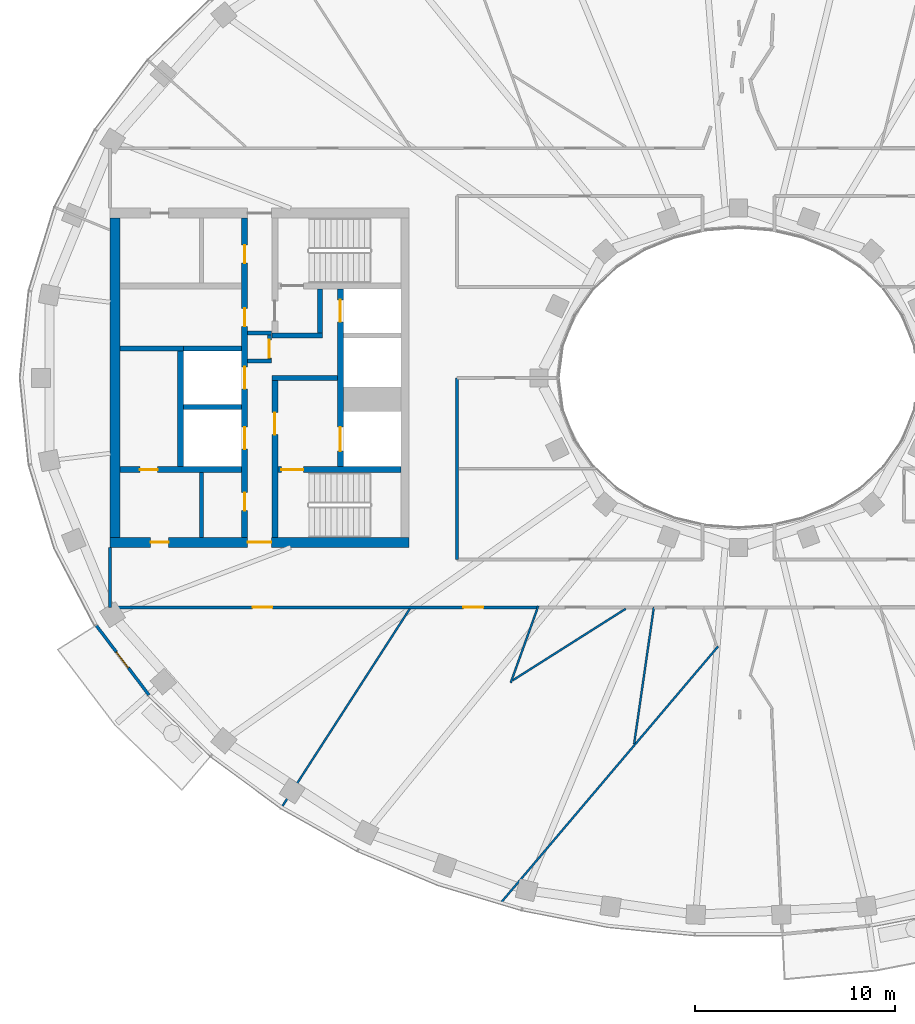
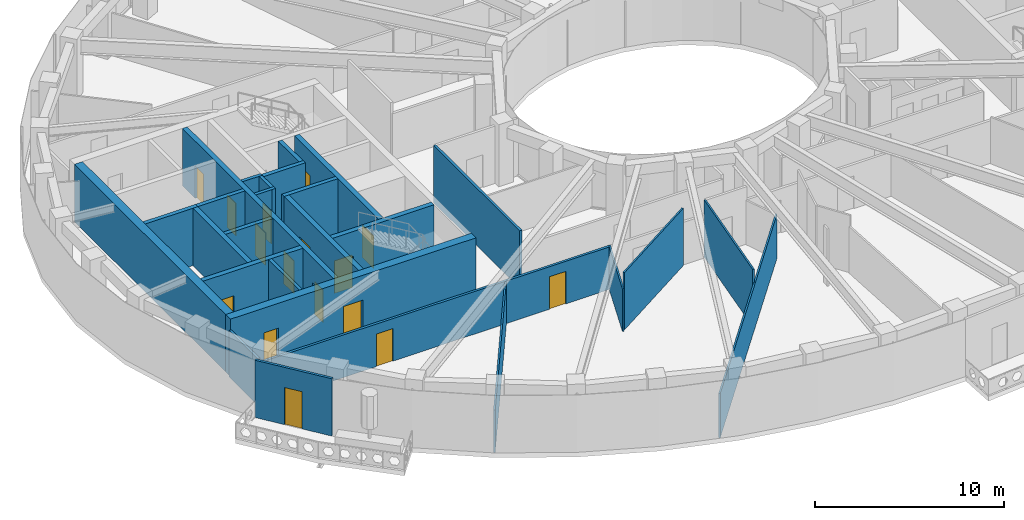
# One storey, part 3 of 16: 27 walls, 16 doors, 16 openings.
"""IFC4 building model written with IfcOpenShell, lengths in metres."""

from ifc_helpers import new_model, si_unit, direction, frame, frame_2d, origin, place, context, subcontext, project, spatial, rectangle, extrude, material, layer, layer_set, type_object, element, fill, save


model = new_model("IFC4")

# Units and contexts
model_context = context("Model", 3, precision=1e-05, world=origin(), true_north=direction((0.0, 1.0)))
body_context = subcontext(model_context, "Body", "Model", "MODEL_VIEW")
ifc_project = project(units=[si_unit("LENGTHUNIT", "METRE"), si_unit("AREAUNIT", "SQUARE_METRE"), si_unit("VOLUMEUNIT", "CUBIC_METRE"), si_unit("PLANEANGLEUNIT", "RADIAN"), si_unit("MASSUNIT", "GRAM", prefix="KILO")], contexts=[model_context])

# Site, building, storey
site_placement = place(None, origin())
site = spatial("IfcSite", under=ifc_project, at=site_placement, CompositionType="ELEMENT")
building_placement = place(site_placement, origin())
building = spatial("IfcBuilding", under=site, at=building_placement, Name="Noorbagh Ring Tower", CompositionType="ELEMENT")
storey_placement = place(building_placement, frame((0.0, 0.0, 311.0)))
storey = spatial("IfcBuildingStorey", under=building, at=storey_placement, Name="L67", CompositionType="ELEMENT", Elevation=311.0)

# Walls
ifc_material_1 = material(Name="Gypsum board on steel studs", Category="steel")
ifc_layer_1 = layer(ifc_material_1, 0.199951171875)
ifc_layer_set_1 = layer_set([ifc_layer_1], Name="Gypsum board on steel studs")
wall_type_1 = type_object("IfcWallType", Name="CORE-PARTITION-200", PredefinedType="PARTITIONING", material=ifc_layer_set_1)
for number, where, z_axis, x_axis, name in (
    (1, (-23.39990234375, 0.85009765625, 0.0), (0.0, 0.0, 1.0), (-1.0, 0.0, 0.0), "Core partition W"),
    (2, (-23.39990234375, 2.25, 0.0), (0.0, 0.0, 1.0), (-1.0, 0.0, 0.0), "Core partition W"),
):
    element("IfcWall", number, at=place(storey_placement, frame(where, z_axis=z_axis, x_axis=x_axis)), inside=storey, type_object=wall_type_1, Name=name, PredefinedType="PARTITIONING", context=body_context, shape_type="SweptSolid", body=[
        extrude(rectangle(XDim=1.2001953125, YDim=0.199951171875, at=frame_2d((0.60009765625, 0.0))), origin(), (0.0, 0.0, 1.0), 3.699951171875),
    ])

# Wall, opening, door
wall_1_placement = place(storey_placement, frame((-23.5, 0.75, 0.0), z_axis=(0.0, 0.0, 1.0), x_axis=(0.0, 1.0, 0.0)))
wall_1 = element("IfcWall", 3, at=wall_1_placement, inside=storey, type_object=wall_type_1, Name="Core partition W", PredefinedType="PARTITIONING", context=body_context, shape_type="SweptSolid", body=[
    extrude(rectangle(XDim=1.60009765625, YDim=0.199951171875, at=frame_2d((0.800048828125, 0.0))), origin(), (0.0, 0.0, 1.0), 3.699951171875),
])
opening_1_placement = place(wall_1_placement, frame((0.25, 0.0, 0.0)))
opening_1 = element("IfcOpeningElement", 4, at=opening_1_placement, cuts=wall_1, Name="Opening L67-CW16", PredefinedType="OPENING", context=body_context, shape_type="SweptSolid", body=[
    extrude(rectangle(XDim=0.89990234375, YDim=2.10009765625, at=frame_2d((0.449951171875, 1.050048828125))), frame((0.0, 0.10986328125, 0.0), z_axis=(0.0, -1.0, 0.0), x_axis=(1.0, 0.0, 0.0)), (0.0, 0.0, 1.0), 0.219970703125),
])
ifc_material_2 = material(Name="Steel door leaf", Category="steel")
door_type_1 = type_object("IfcDoorType", Name="CORE-DOOR-DROOM", OperationType="SINGLE_SWING_LEFT", PredefinedType="DOOR", material=ifc_material_2)
door_1_placement = place(opening_1_placement, origin())
door_1 = element("IfcDoor", 5, at=door_1_placement, inside=storey, type_object=door_type_1, Name="Core room door L67-CW16", OperationType="SINGLE_SWING_RIGHT", OverallHeight=2.10009765625, OverallWidth=0.89990234375, PredefinedType="DOOR", context=body_context, shape_type="SweptSolid", body=[
    extrude(rectangle(XDim=0.89990234375, YDim=2.10009765625, at=frame_2d((0.449951171875, 1.050048828125))), frame((0.0, 0.02490234375, 0.0), z_axis=(0.0, -1.0, 0.0), x_axis=(1.0, 0.0, 0.0)), (0.0, 0.0, 1.0), 0.050048828125),
])
fill(opening_1, door_1)

# Walls
wall_2_placement = place(storey_placement, frame((-26.89990234375, -8.0, 0.0), z_axis=(0.0, 0.0, 1.0), x_axis=(0.0, 1.0, 0.0)))
element("IfcWall", 6, at=wall_2_placement, inside=storey, type_object=wall_type_1, Name="Core partition W", PredefinedType="PARTITIONING", context=body_context, shape_type="SweptSolid", body=[
    extrude(rectangle(XDim=3.25, YDim=0.199951171875, at=frame_2d((1.625, 0.0))), origin(), (0.0, 0.0, 1.0), 3.699951171875),
])
ifc_material_3 = material(Name="Concrete C50/60", Category="concrete")
ifc_layer_2 = layer(ifc_material_3, 0.25)
ifc_layer_set_2 = layer_set([ifc_layer_2], Name="Concrete C50/60")
wall_type_2 = type_object("IfcWallType", Name="CORE-WALL-250-C50-60-EI120", PredefinedType="SHEAR", material=ifc_layer_set_2)
wall_3_placement = place(storey_placement, frame((-27.800048828125, 1.47509765625, 0.0), z_axis=(0.0, 0.0, 1.0), x_axis=(-1.0, 0.0, 0.0)))
element("IfcWall", 7, at=wall_3_placement, inside=storey, type_object=wall_type_2, Name="Core wall W", PredefinedType="SHEAR", context=body_context, shape_type="SweptSolid", body=[
    extrude(rectangle(XDim=3.199951171875, YDim=0.25, at=frame_2d((1.60009765625, 0.0))), origin(), (0.0, 0.0, 1.0), 3.699951171875),
])
for number, where, z_axis, x_axis, name in (
    (8, (-24.89990234375, -1.47509765625, 0.0), (0.0, 0.0, 1.0), (-1.0, 0.0, 0.0), "Core wall W"),
    (9, (-24.89990234375, 1.47509765625, 0.0), (0.0, 0.0, 1.0), (-1.0, 0.0, 0.0), "Core wall W"),
):
    element("IfcWall", number, at=place(storey_placement, frame(where, z_axis=z_axis, x_axis=x_axis)), inside=storey, type_object=wall_type_2, Name=name, PredefinedType="SHEAR", context=body_context, shape_type="SweptSolid", body=[
        extrude(rectangle(XDim=2.900146484375, YDim=0.25, at=frame_2d((1.4501953125, 0.0))), origin(), (0.0, 0.0, 1.0), 3.699951171875),
    ])
ifc_material_4 = material(Name="Concrete C50/60", Category="concrete")
ifc_layer_3 = layer(ifc_material_4, 0.25)
ifc_layer_set_3 = layer_set([ifc_layer_3], Name="Concrete C50/60")
wall_type_3 = type_object("IfcWallType", Name="CORE-WALL-250-C50-60-EI240", PredefinedType="SHEAR", material=ifc_layer_set_3)
wall_4_placement = place(storey_placement, frame((-20.10009765625, 0.0, 0.0), z_axis=(0.0, 0.0, 1.0), x_axis=(-1.0, 0.0, 0.0)))
element("IfcWall", 10, at=wall_4_placement, inside=storey, type_object=wall_type_3, Name="Core wall W", PredefinedType="SHEAR", context=body_context, shape_type="SweptSolid", body=[
    extrude(rectangle(XDim=3.27978515625, YDim=0.25, at=frame_2d((1.639892578125, 0.0))), origin(), (0.0, 0.0, 1.0), 3.699951171875),
])
wall_5_placement = place(storey_placement, frame((-20.85009765625, 2.125, 0.0), z_axis=(0.0, 0.0, 1.0), x_axis=(-1.0, 0.0, 0.0)))
element("IfcWall", 11, at=wall_5_placement, inside=storey, type_object=wall_type_3, Name="Core wall W", PredefinedType="SHEAR", context=body_context, shape_type="SweptSolid", body=[
    extrude(rectangle(XDim=2.52978515625, YDim=0.25, at=frame_2d((1.264892578125, 0.0))), origin(), (0.0, 0.0, 1.0), 3.699951171875),
])
wall_6_placement = place(storey_placement, frame((-20.97509765625, 2.25, 0.0), z_axis=(0.0, 0.0, 1.0), x_axis=(0.0, 1.0, 0.0)))
element("IfcWall", 12, at=wall_6_placement, inside=storey, type_object=wall_type_3, Name="Core wall W", PredefinedType="SHEAR", context=body_context, shape_type="SweptSolid", body=[
    extrude(rectangle(XDim=2.199951171875, YDim=0.25, at=frame_2d((1.10009765625, 0.0))), origin(), (0.0, 0.0, 1.0), 3.699951171875),
])
ifc_material_5 = material(Name="Concrete C50/60", Category="concrete")
ifc_layer_4 = layer(ifc_material_5, 0.300048828125)
ifc_layer_set_4 = layer_set([ifc_layer_4], Name="Concrete C50/60")
wall_type_4 = type_object("IfcWallType", Name="CORE-WALL-300-C50-60-EI120", PredefinedType="SHEAR", material=ifc_layer_set_4)
wall_7_placement = place(storey_placement, frame((-27.949951171875, -4.449951171875, 0.0), z_axis=(0.0, 0.0, 1.0), x_axis=(0.0, 1.0, 0.0)))
element("IfcWall", 13, at=wall_7_placement, inside=storey, type_object=wall_type_4, Name="Core wall W", PredefinedType="SHEAR", context=body_context, shape_type="SweptSolid", body=[
    extrude(rectangle(XDim=5.800048828125, YDim=0.300048828125, at=frame_2d((2.89990234375, 0.0))), origin(), (0.0, 0.0, 1.0), 3.699951171875),
])

# Wall, openings, doors
wall_8_placement = place(storey_placement, frame((-19.949951171875, -4.449951171875, 0.0), z_axis=(0.0, 0.0, 1.0), x_axis=(0.0, 1.0, 0.0)))
wall_8 = element("IfcWall", 14, at=wall_8_placement, inside=storey, type_object=wall_type_4, Name="Core wall W", PredefinedType="SHEAR", context=body_context, shape_type="SweptSolid", body=[
    extrude(rectangle(XDim=8.89990234375, YDim=0.300048828125, at=frame_2d((4.449951171875, 0.0))), origin(), (0.0, 0.0, 1.0), 3.699951171875),
])
opening_2_placement = place(wall_8_placement, frame((0.77490234375, 0.0, 0.0)))
opening_2 = element("IfcOpeningElement", 15, at=opening_2_placement, cuts=wall_8, Name="Opening L67-CW01", PredefinedType="OPENING", context=body_context, shape_type="SweptSolid", body=[
    extrude(rectangle(XDim=1.199951171875, YDim=2.10009765625, at=frame_2d((0.60009765625, 1.050048828125))), frame((0.0, 0.16015625, 0.0), z_axis=(0.0, -1.0, 0.0), x_axis=(1.0, 0.0, 0.0)), (0.0, 0.0, 1.0), 0.320068359375),
])
opening_3_placement = place(wall_8_placement, frame((7.25, 0.0, 0.0)))
opening_3 = element("IfcOpeningElement", 16, at=opening_3_placement, cuts=wall_8, Name="Opening L67-CW02", PredefinedType="OPENING", context=body_context, shape_type="SweptSolid", body=[
    extrude(rectangle(XDim=1.10009765625, YDim=2.10009765625, at=frame_2d((0.550048828125, 1.050048828125))), frame((0.0, 0.16015625, 0.0), z_axis=(0.0, -1.0, 0.0), x_axis=(1.0, 0.0, 0.0)), (0.0, 0.0, 1.0), 0.320068359375),
])
ifc_material_6 = material(Name="Steel door leaf", Category="steel")
door_type_2 = type_object("IfcDoorType", Name="CORE-DOOR-LD", OperationType="DOUBLE_DOOR_SLIDING", PredefinedType="DOOR", material=ifc_material_6)
door_2_placement = place(opening_3_placement, origin())
door_2 = element("IfcDoor", 17, at=door_2_placement, inside=storey, type_object=door_type_2, Name="Landing door HR1 L67-CW02", OperationType="DOUBLE_DOOR_SLIDING", OverallHeight=2.10009765625, OverallWidth=1.10009765625, PredefinedType="DOOR", context=body_context, shape_type="SweptSolid", body=[
    extrude(rectangle(XDim=1.10009765625, YDim=2.10009765625, at=frame_2d((0.550048828125, 1.050048828125))), frame((0.0, 0.02490234375, 0.0), z_axis=(0.0, -1.0, 0.0), x_axis=(1.0, 0.0, 0.0)), (0.0, 0.0, 1.0), 0.050048828125),
])
fill(opening_3, door_2)
ifc_material_7 = material(Name="Steel door leaf", Category="steel")
door_type_3 = type_object("IfcDoorType", Name="CORE-DOOR-LDW", OperationType="DOUBLE_DOOR_SLIDING", PredefinedType="DOOR", material=ifc_material_7)
door_3_placement = place(opening_2_placement, origin())
door_3 = element("IfcDoor", 18, at=door_3_placement, inside=storey, type_object=door_type_3, Name="Landing door FF1 L67-CW01", OperationType="DOUBLE_DOOR_SLIDING", OverallHeight=2.10009765625, OverallWidth=1.199951171875, PredefinedType="DOOR", context=body_context, shape_type="SweptSolid", body=[
    extrude(rectangle(XDim=1.199951171875, YDim=2.10009765625, at=frame_2d((0.60009765625, 1.050048828125))), frame((0.0, 0.02490234375, 0.0), z_axis=(0.0, -1.0, 0.0), x_axis=(1.0, 0.0, 0.0)), (0.0, 0.0, 1.0), 0.050048828125),
])
fill(opening_2, door_3)

wall_9_placement = place(storey_placement, frame((-24.75, -8.0, 0.0), z_axis=(0.0, 0.0, 1.0), x_axis=(0.0, 1.0, 0.0)))
wall_9 = element("IfcWall", 19, at=wall_9_placement, inside=storey, type_object=wall_type_4, Name="Core wall W", PredefinedType="SHEAR", context=body_context, shape_type="SweptSolid", body=[
    extrude(rectangle(XDim=16.0, YDim=0.300048828125, at=frame_2d((8.0, 0.0))), origin(), (0.0, 0.0, 1.0), 3.699951171875),
])
opening_4_placement = place(wall_9_placement, frame((4.425048828125, 0.0, 0.0)))
opening_4 = element("IfcOpeningElement", 20, at=opening_4_placement, cuts=wall_9, Name="Opening L67-CW03", PredefinedType="OPENING", context=body_context, shape_type="SweptSolid", body=[
    extrude(rectangle(XDim=1.10009765625, YDim=2.10009765625, at=frame_2d((0.550048828125, 1.050048828125))), frame((0.0, 0.16015625, 0.0), z_axis=(0.0, -1.0, 0.0), x_axis=(1.0, 0.0, 0.0)), (0.0, 0.0, 1.0), 0.320068359375),
])
opening_5_placement = place(wall_9_placement, frame((7.449951171875, 0.0, 0.0)))
opening_5 = element("IfcOpeningElement", 21, at=opening_5_placement, cuts=wall_9, Name="Opening L67-CW04", PredefinedType="OPENING", context=body_context, shape_type="SweptSolid", body=[
    extrude(rectangle(XDim=1.10009765625, YDim=2.10009765625, at=frame_2d((0.550048828125, 1.050048828125))), frame((0.0, 0.16015625, 0.0), z_axis=(0.0, -1.0, 0.0), x_axis=(1.0, 0.0, 0.0)), (0.0, 0.0, 1.0), 0.320068359375),
])
opening_6_placement = place(wall_9_placement, frame((10.574951171875, 0.0, 0.0)))
opening_6 = element("IfcOpeningElement", 22, at=opening_6_placement, cuts=wall_9, Name="Opening L67-CW11", PredefinedType="OPENING", context=body_context, shape_type="SweptSolid", body=[
    extrude(rectangle(XDim=0.89990234375, YDim=2.10009765625, at=frame_2d((0.449951171875, 1.050048828125))), frame((0.0, 0.16015625, 0.0), z_axis=(0.0, -1.0, 0.0), x_axis=(1.0, 0.0, 0.0)), (0.0, 0.0, 1.0), 0.320068359375),
])
opening_7_placement = place(wall_9_placement, frame((13.75, 0.0, 0.0)))
opening_7 = element("IfcOpeningElement", 23, at=opening_7_placement, cuts=wall_9, Name="Opening L67-CW12", PredefinedType="OPENING", context=body_context, shape_type="SweptSolid", body=[
    extrude(rectangle(XDim=0.89990234375, YDim=2.10009765625, at=frame_2d((0.449951171875, 1.050048828125))), frame((0.0, 0.16015625, 0.0), z_axis=(0.0, -1.0, 0.0), x_axis=(1.0, 0.0, 0.0)), (0.0, 0.0, 1.0), 0.320068359375),
])
opening_8_placement = place(wall_9_placement, frame((1.35009765625, 0.0, 0.0)))
opening_8 = element("IfcOpeningElement", 24, at=opening_8_placement, cuts=wall_9, Name="Opening L67-CW14", PredefinedType="OPENING", context=body_context, shape_type="SweptSolid", body=[
    extrude(rectangle(XDim=0.89990234375, YDim=2.10009765625, at=frame_2d((0.449951171875, 1.050048828125))), frame((0.0, 0.16015625, 0.0), z_axis=(0.0, -1.0, 0.0), x_axis=(1.0, 0.0, 0.0)), (0.0, 0.0, 1.0), 0.320068359375),
])
door_4_placement = place(opening_6_placement, origin())
door_4 = element("IfcDoor", 25, at=door_4_placement, inside=storey, type_object=door_type_1, Name="Core room door L67-CW11", OperationType="SINGLE_SWING_RIGHT", OverallHeight=2.10009765625, OverallWidth=0.89990234375, PredefinedType="DOOR", context=body_context, shape_type="SweptSolid", body=[
    extrude(rectangle(XDim=0.89990234375, YDim=2.10009765625, at=frame_2d((0.449951171875, 1.050048828125))), frame((0.0, 0.02490234375, 0.0), z_axis=(0.0, -1.0, 0.0), x_axis=(1.0, 0.0, 0.0)), (0.0, 0.0, 1.0), 0.050048828125),
])
fill(opening_6, door_4)
door_5_placement = place(opening_7_placement, origin())
door_5 = element("IfcDoor", 26, at=door_5_placement, inside=storey, type_object=door_type_1, Name="Core room door L67-CW12", OperationType="SINGLE_SWING_RIGHT", OverallHeight=2.10009765625, OverallWidth=0.89990234375, PredefinedType="DOOR", context=body_context, shape_type="SweptSolid", body=[
    extrude(rectangle(XDim=0.89990234375, YDim=2.10009765625, at=frame_2d((0.449951171875, 1.050048828125))), frame((0.0, 0.02490234375, 0.0), z_axis=(0.0, -1.0, 0.0), x_axis=(1.0, 0.0, 0.0)), (0.0, 0.0, 1.0), 0.050048828125),
])
fill(opening_7, door_5)
door_6_placement = place(opening_8_placement, origin())
door_6 = element("IfcDoor", 27, at=door_6_placement, inside=storey, type_object=door_type_1, Name="Core room door L67-CW14", OperationType="SINGLE_SWING_LEFT", OverallHeight=2.10009765625, OverallWidth=0.89990234375, PredefinedType="DOOR", context=body_context, shape_type="SweptSolid", body=[
    extrude(rectangle(XDim=0.89990234375, YDim=2.10009765625, at=frame_2d((0.449951171875, 1.050048828125))), frame((0.0, 0.02490234375, 0.0), z_axis=(0.0, -1.0, 0.0), x_axis=(1.0, 0.0, 0.0)), (0.0, 0.0, 1.0), 0.050048828125),
])
fill(opening_8, door_6)
door_7_placement = place(opening_4_placement, origin())
door_7 = element("IfcDoor", 28, at=door_7_placement, inside=storey, type_object=door_type_2, Name="Landing door HR5 L67-CW03", OperationType="DOUBLE_DOOR_SLIDING", OverallHeight=2.10009765625, OverallWidth=1.10009765625, PredefinedType="DOOR", context=body_context, shape_type="SweptSolid", body=[
    extrude(rectangle(XDim=1.10009765625, YDim=2.10009765625, at=frame_2d((0.550048828125, 1.050048828125))), frame((0.0, 0.02490234375, 0.0), z_axis=(0.0, -1.0, 0.0), x_axis=(1.0, 0.0, 0.0)), (0.0, 0.0, 1.0), 0.050048828125),
])
fill(opening_4, door_7)
door_8_placement = place(opening_5_placement, origin())
door_8 = element("IfcDoor", 29, at=door_8_placement, inside=storey, type_object=door_type_2, Name="Landing door HR6 L67-CW04", OperationType="DOUBLE_DOOR_SLIDING", OverallHeight=2.10009765625, OverallWidth=1.10009765625, PredefinedType="DOOR", context=body_context, shape_type="SweptSolid", body=[
    extrude(rectangle(XDim=1.10009765625, YDim=2.10009765625, at=frame_2d((0.550048828125, 1.050048828125))), frame((0.0, 0.02490234375, 0.0), z_axis=(0.0, -1.0, 0.0), x_axis=(1.0, 0.0, 0.0)), (0.0, 0.0, 1.0), 0.050048828125),
])
fill(opening_5, door_8)

# Wall, opening, door
ifc_material_8 = material(Name="Concrete C50/60", Category="concrete")
ifc_layer_5 = layer(ifc_material_8, 0.300048828125)
ifc_layer_set_5 = layer_set([ifc_layer_5], Name="Concrete C50/60")
wall_type_5 = type_object("IfcWallType", Name="CORE-WALL-300-C50-60-EI240", PredefinedType="SHEAR", material=ifc_layer_set_5)
wall_10_placement = place(storey_placement, frame((-24.89990234375, -4.60009765625, 0.0), z_axis=(0.0, 0.0, 1.0), x_axis=(-1.0, 0.0, 0.0)))
wall_10 = element("IfcWall", 30, at=wall_10_placement, inside=storey, type_object=wall_type_5, Name="Core wall W", PredefinedType="SHEAR", context=body_context, shape_type="SweptSolid", body=[
    extrude(rectangle(XDim=6.10009765625, YDim=0.300048828125, at=frame_2d((3.050048828125, 0.0))), origin(), (0.0, 0.0, 1.0), 3.699951171875),
])
opening_9_placement = place(wall_10_placement, frame((4.199951171875, 0.0, 0.0)))
opening_9 = element("IfcOpeningElement", 31, at=opening_9_placement, cuts=wall_10, Name="Opening L67-CW17", PredefinedType="OPENING", context=body_context, shape_type="SweptSolid", body=[
    extrude(rectangle(XDim=0.89990234375, YDim=2.10009765625, at=frame_2d((0.449951171875, 1.050048828125))), frame((0.0, 0.16015625, 0.0), z_axis=(0.0, -1.0, 0.0), x_axis=(1.0, 0.0, 0.0)), (0.0, 0.0, 1.0), 0.320068359375),
])
door_9_placement = place(opening_9_placement, origin())
door_9 = element("IfcDoor", 32, at=door_9_placement, inside=storey, type_object=door_type_1, Name="Core room door L67-CW17", OperationType="SINGLE_SWING_RIGHT", OverallHeight=2.10009765625, OverallWidth=0.89990234375, PredefinedType="DOOR", context=body_context, shape_type="SweptSolid", body=[
    extrude(rectangle(XDim=0.89990234375, YDim=2.10009765625, at=frame_2d((0.449951171875, 1.050048828125))), frame((0.0, 0.02490234375, 0.0), z_axis=(0.0, -1.0, 0.0), x_axis=(1.0, 0.0, 0.0)), (0.0, 0.0, 1.0), 0.050048828125),
])
fill(opening_9, door_9)

wall_11_placement = place(storey_placement, frame((-23.22998046875, -8.0, 0.0), z_axis=(0.0, 0.0, 1.0), x_axis=(0.0, 1.0, 0.0)))
wall_11 = element("IfcWall", 33, at=wall_11_placement, inside=storey, type_object=wall_type_5, Name="Core wall W", PredefinedType="SHEAR", context=body_context, shape_type="SweptSolid", body=[
    extrude(rectangle(XDim=7.875, YDim=0.300048828125, at=frame_2d((3.9375, 0.0))), origin(), (0.0, 0.0, 1.0), 3.699951171875),
])
opening_10_placement = place(wall_11_placement, frame((5.14990234375, 0.0, 0.0)))
opening_10 = element("IfcOpeningElement", 34, at=opening_10_placement, cuts=wall_11, Name="Opening L67-CW07", PredefinedType="OPENING", context=body_context, shape_type="SweptSolid", body=[
    extrude(rectangle(XDim=1.10009765625, YDim=2.10009765625, at=frame_2d((0.550048828125, 1.050048828125))), frame((0.0, 0.16015625, 0.0), z_axis=(0.0, -1.0, 0.0), x_axis=(1.0, 0.0, 0.0)), (0.0, 0.0, 1.0), 0.320068359375),
])
ifc_material_9 = material(Name="Steel door leaf", Category="steel")
door_type_4 = type_object("IfcDoorType", Name="CORE-DOOR-DFF", OperationType="SINGLE_SWING_LEFT", PredefinedType="DOOR", material=ifc_material_9)
door_10_placement = place(opening_10_placement, origin())
door_10 = element("IfcDoor", 35, at=door_10_placement, inside=storey, type_object=door_type_4, Name="Firefighting lobby door L67-CW07", OperationType="SINGLE_SWING_LEFT", OverallHeight=2.10009765625, OverallWidth=1.10009765625, PredefinedType="DOOR", context=body_context, shape_type="SweptSolid", body=[
    extrude(rectangle(XDim=1.10009765625, YDim=2.10009765625, at=frame_2d((0.550048828125, 1.050048828125))), frame((0.0, 0.02490234375, 0.0), z_axis=(0.0, -1.0, 0.0), x_axis=(1.0, 0.0, 0.0)), (0.0, 0.0, 1.0), 0.050048828125),
])
fill(opening_10, door_10)

wall_12_placement = place(storey_placement, frame((-16.89990234375, -4.60009765625, 0.0), z_axis=(0.0, 0.0, 1.0), x_axis=(-1.0, 0.0, 0.0)))
wall_12 = element("IfcWall", 36, at=wall_12_placement, inside=storey, type_object=wall_type_5, Name="Core wall W", PredefinedType="SHEAR", context=body_context, shape_type="SweptSolid", body=[
    extrude(rectangle(XDim=6.18017578125, YDim=0.300048828125, at=frame_2d((3.090087890625, 0.0))), origin(), (0.0, 0.0, 1.0), 3.699951171875),
])
opening_11_placement = place(wall_12_placement, frame((4.89990234375, 0.0, 0.0)))
opening_11 = element("IfcOpeningElement", 37, at=opening_11_placement, cuts=wall_12, Name="Opening L67-CW06", PredefinedType="OPENING", context=body_context, shape_type="SweptSolid", body=[
    extrude(rectangle(XDim=1.10009765625, YDim=2.10009765625, at=frame_2d((0.550048828125, 1.050048828125))), frame((0.0, 0.16015625, 0.0), z_axis=(0.0, -1.0, 0.0), x_axis=(1.0, 0.0, 0.0)), (0.0, 0.0, 1.0), 0.320068359375),
])
ifc_material_10 = material(Name="Steel door leaf", Category="steel")
door_type_5 = type_object("IfcDoorType", Name="CORE-DOOR-DSTAIR", OperationType="SINGLE_SWING_LEFT", PredefinedType="DOOR", material=ifc_material_10)
door_11_placement = place(opening_11_placement, origin())
door_11 = element("IfcDoor", 38, at=door_11_placement, inside=storey, type_object=door_type_5, Name="Stair door ST2 L67-CW06", OperationType="SINGLE_SWING_LEFT", OverallHeight=2.10009765625, OverallWidth=1.10009765625, PredefinedType="DOOR", context=body_context, shape_type="SweptSolid", body=[
    extrude(rectangle(XDim=1.10009765625, YDim=2.10009765625, at=frame_2d((0.550048828125, 1.050048828125))), frame((0.0, 0.02490234375, 0.0), z_axis=(0.0, -1.0, 0.0), x_axis=(1.0, 0.0, 0.0)), (0.0, 0.0, 1.0), 0.050048828125),
])
fill(opening_11, door_11)

# Wall, openings, doors
ifc_material_11 = material(Name="Concrete C50/60", Category="concrete")
ifc_layer_6 = layer(ifc_material_11, 0.5)
ifc_layer_set_6 = layer_set([ifc_layer_6], Name="Concrete C50/60")
wall_type_6 = type_object("IfcWallType", Name="CORE-WALL-500-C50-60-EI240", PredefinedType="SHEAR", material=ifc_layer_set_6)
wall_13_placement = place(storey_placement, frame((-16.5, -8.25, 0.0), z_axis=(0.0, 0.0, 1.0), x_axis=(-1.0, 0.0, 0.0)))
wall_13 = element("IfcWall", 39, at=wall_13_placement, inside=storey, type_object=wall_type_6, Name="Core wall W", PredefinedType="SHEAR", context=body_context, shape_type="SweptSolid", body=[
    extrude(rectangle(XDim=15.0, YDim=0.5, at=frame_2d((7.5, 0.0))), origin(), (0.0, 0.0, 1.0), 3.699951171875),
])
opening_12_placement = place(wall_13_placement, frame((6.89990234375, 0.0, 0.0)))
opening_12 = element("IfcOpeningElement", 40, at=opening_12_placement, cuts=wall_13, Name="Opening L67-CW10", PredefinedType="OPENING", context=body_context, shape_type="SweptSolid", body=[
    extrude(rectangle(XDim=1.199951171875, YDim=2.10009765625, at=frame_2d((0.60009765625, 1.050048828125))), frame((0.0, 0.260009765625, 0.0), z_axis=(0.0, -1.0, 0.0), x_axis=(1.0, 0.0, 0.0)), (0.0, 0.0, 1.0), 0.52001953125),
])
opening_13_placement = place(wall_13_placement, frame((12.050048828125, 0.0, 0.0)))
opening_13 = element("IfcOpeningElement", 41, at=opening_13_placement, cuts=wall_13, Name="Opening L67-CW15", PredefinedType="OPENING", context=body_context, shape_type="SweptSolid", body=[
    extrude(rectangle(XDim=0.89990234375, YDim=2.10009765625, at=frame_2d((0.449951171875, 1.050048828125))), frame((0.0, 0.260009765625, 0.0), z_axis=(0.0, -1.0, 0.0), x_axis=(1.0, 0.0, 0.0)), (0.0, 0.0, 1.0), 0.52001953125),
])
door_12_placement = place(opening_13_placement, origin())
door_12 = element("IfcDoor", 42, at=door_12_placement, inside=storey, type_object=door_type_1, Name="Core room door L67-CW15", OperationType="SINGLE_SWING_LEFT", OverallHeight=2.10009765625, OverallWidth=0.89990234375, PredefinedType="DOOR", context=body_context, shape_type="SweptSolid", body=[
    extrude(rectangle(XDim=0.89990234375, YDim=2.10009765625, at=frame_2d((0.449951171875, 1.050048828125))), frame((0.0, 0.02490234375, 0.0), z_axis=(0.0, -1.0, 0.0), x_axis=(1.0, 0.0, 0.0)), (0.0, 0.0, 1.0), 0.050048828125),
])
fill(opening_13, door_12)
ifc_material_12 = material(Name="Steel door leaf", Category="steel")
door_type_6 = type_object("IfcDoorType", Name="CORE-DOOR-PORT", OperationType="DOUBLE_DOOR_DOUBLE_SWING", PredefinedType="DOOR", material=ifc_material_12)
door_13_placement = place(opening_12_placement, origin())
door_13 = element("IfcDoor", 43, at=door_13_placement, inside=storey, type_object=door_type_6, Name="Core entrance door L67-CW10", OperationType="DOUBLE_DOOR_DOUBLE_SWING", OverallHeight=2.10009765625, OverallWidth=1.199951171875, PredefinedType="DOOR", context=body_context, shape_type="SweptSolid", body=[
    extrude(rectangle(XDim=1.199951171875, YDim=2.10009765625, at=frame_2d((0.60009765625, 1.050048828125))), frame((0.0, 0.02490234375, 0.0), z_axis=(0.0, -1.0, 0.0), x_axis=(1.0, 0.0, 0.0)), (0.0, 0.0, 1.0), 0.050048828125),
])
fill(opening_12, door_13)

# Walls
wall_14_placement = place(storey_placement, frame((-31.25, -8.0, 0.0), z_axis=(0.0, 0.0, 1.0), x_axis=(0.0, 1.0, 0.0)))
element("IfcWall", 44, at=wall_14_placement, inside=storey, type_object=wall_type_6, Name="Core wall W", PredefinedType="SHEAR", context=body_context, shape_type="SweptSolid", body=[
    extrude(rectangle(XDim=16.0, YDim=0.5, at=frame_2d((8.0, 0.0))), origin(), (0.0, 0.0, 1.0), 3.699951171875),
])
ifc_material_13 = material(Name="Gypsum board on steel studs", Category="steel")
ifc_layer_7 = layer(ifc_material_13, 0.14990234375)
ifc_layer_set_7 = layer_set([ifc_layer_7], Name="Gypsum board on steel studs")
wall_type_7 = type_object("IfcWallType", Name="CORRIDOR PARTITION 150 EI 30", PredefinedType="PARTITIONING", material=ifc_layer_set_7)
wall_15_placement = place(storey_placement, frame((-31.5, -11.5, 0.0), z_axis=(0.0, 0.0, 1.0), x_axis=(0.0, 1.0, 0.0)))
element("IfcWall", 45, at=wall_15_placement, inside=storey, type_object=wall_type_7, Name="L67/wall/P02", PredefinedType="PARTITIONING", context=body_context, shape_type="SweptSolid", body=[
    extrude(rectangle(XDim=3.0, YDim=0.14990234375, at=frame_2d((1.5, 0.0))), origin(), (0.0, 0.0, 1.0), 3.0),
])

# Wall, openings, doors
wall_16_placement = place(storey_placement, frame((-31.5, -11.5, 0.0), z_axis=(0.0, 0.0, 1.0), x_axis=(1.0, 0.0, 0.0)))
wall_16 = element("IfcWall", 46, at=wall_16_placement, inside=storey, type_object=wall_type_7, Name="L67/wall/P03", PredefinedType="PARTITIONING", context=body_context, shape_type="SweptSolid", body=[
    extrude(rectangle(XDim=21.431884765625, YDim=0.14990234375, at=frame_2d((10.7158203125, 0.0))), origin(), (0.0, 0.0, 1.0), 2.75),
])
opening_14_placement = place(wall_16_placement, frame((7.14990234375, 0.0, 0.0)))
opening_14 = element("IfcOpeningElement", 47, at=opening_14_placement, cuts=wall_16, Name="Opening D1", PredefinedType="OPENING", context=body_context, shape_type="SweptSolid", body=[
    extrude(rectangle(XDim=1.0, YDim=2.10009765625, at=frame_2d((0.5, 1.050048828125))), frame((0.0, 0.0849609375, 0.0), z_axis=(0.0, -1.0, 0.0), x_axis=(1.0, 0.0, 0.0)), (0.0, 0.0, 1.0), 0.169921875),
])
opening_15_placement = place(wall_16_placement, frame((17.718017578125, 0.0, 0.0)))
opening_15 = element("IfcOpeningElement", 48, at=opening_15_placement, cuts=wall_16, Name="Opening D1", PredefinedType="OPENING", context=body_context, shape_type="SweptSolid", body=[
    extrude(rectangle(XDim=1.0, YDim=2.10009765625, at=frame_2d((0.5, 1.050048828125))), frame((0.0, 0.0849609375, 0.0), z_axis=(0.0, -1.0, 0.0), x_axis=(1.0, 0.0, 0.0)), (0.0, 0.0, 1.0), 0.169921875),
])
ifc_material_14 = material(Name="Timber, painted", Category="wood")
door_type_7 = type_object("IfcDoorType", Name="DOOR 1000 X 2100 FD30", OperationType="SINGLE_SWING_LEFT", PredefinedType="DOOR", material=ifc_material_14)
door_14_placement = place(opening_14_placement, origin())
door_14 = element("IfcDoor", 49, at=door_14_placement, inside=storey, type_object=door_type_7, Name="L67-D06", OperationType="SINGLE_SWING_RIGHT", OverallHeight=2.10009765625, OverallWidth=1.0, PredefinedType="DOOR", context=body_context, shape_type="SweptSolid", body=[
    extrude(rectangle(XDim=1.0, YDim=2.10009765625, at=frame_2d((0.5, 1.050048828125))), frame((0.0, 0.02490234375, 0.0), z_axis=(0.0, -1.0, 0.0), x_axis=(1.0, 0.0, 0.0)), (0.0, 0.0, 1.0), 0.050048828125),
])
fill(opening_14, door_14)
door_15_placement = place(opening_15_placement, origin())
door_15 = element("IfcDoor", 50, at=door_15_placement, inside=storey, type_object=door_type_7, Name="L67-D09", OperationType="SINGLE_SWING_LEFT", OverallHeight=2.10009765625, OverallWidth=1.0, PredefinedType="DOOR", context=body_context, shape_type="SweptSolid", body=[
    extrude(rectangle(XDim=1.0, YDim=2.10009765625, at=frame_2d((0.5, 1.050048828125))), frame((0.0, 0.02490234375, 0.0), z_axis=(0.0, -1.0, 0.0), x_axis=(1.0, 0.0, 0.0)), (0.0, 0.0, 1.0), 0.050048828125),
])
fill(opening_15, door_15)

# Wall
wall_17_placement = place(storey_placement, frame((-14.10009765625, -9.10009765625, 0.0), z_axis=(0.0, 0.0, 1.0), x_axis=(0.0, 1.0, 0.0)))
element("IfcWall", 51, at=wall_17_placement, inside=storey, type_object=wall_type_7, Name="L67/wall/P10", PredefinedType="PARTITIONING", context=body_context, shape_type="SweptSolid", body=[
    extrude(rectangle(XDim=9.10009765625, YDim=0.14990234375, at=frame_2d((4.550048828125, 0.0))), origin(), (0.0, 0.0, 1.0), 3.699951171875),
])

# Wall, opening, door
ifc_material_15 = material(Name="Insulated aluminium clad panel", Category="aluminium")
ifc_layer_8 = layer(ifc_material_15, 0.14990234375)
ifc_layer_set_8 = layer_set([ifc_layer_8], Name="Insulated aluminium clad panel")
wall_type_8 = type_object("IfcWallType", Name="ENV-WALL-DOOR", PredefinedType="STANDARD", material=ifc_layer_set_8)
wall_18_placement = place(storey_placement, frame((-32.20751953125, -12.37353515625, 0.0), z_axis=(0.0, 0.0, 1.0), x_axis=(0.604045763106, -0.796949632081, 0.0)))
wall_18 = element("IfcWall", 52, at=wall_18_placement, inside=storey, type_object=wall_type_8, Name="Balcony door wall chord 27", PredefinedType="STANDARD", context=body_context, shape_type="SweptSolid", body=[
    extrude(rectangle(XDim=4.42333984375, YDim=0.14990234375, at=frame_2d((2.211669921875, 0.0))), origin(), (0.0, 0.0, 1.0), 3.699951171875),
])
opening_16_placement = place(wall_18_placement, frame((1.711669921875, 0.0, 0.0)))
opening_16 = element("IfcOpeningElement", 53, at=opening_16_placement, cuts=wall_18, Name="Opening D-BL", PredefinedType="OPENING", context=body_context, shape_type="SweptSolid", body=[
    extrude(rectangle(XDim=1.0, YDim=2.39990234375, at=frame_2d((0.5, 1.199951171875))), frame((0.0, 0.0849609375, 0.0), z_axis=(0.0, -1.0, 0.0), x_axis=(1.0, 0.0, 0.0)), (0.0, 0.0, 1.0), 0.169921875),
])
ifc_material_16 = material(Name="Aluminium and glass", Category="aluminium")
door_type_8 = type_object("IfcDoorType", Name="ENV-DOOR-BALCONY", OperationType="SINGLE_SWING_LEFT", PredefinedType="DOOR", material=ifc_material_16)
door_16_placement = place(opening_16_placement, origin())
door_16 = element("IfcDoor", 54, at=door_16_placement, inside=storey, type_object=door_type_8, Name="Balcony door chord 27", OperationType="SINGLE_SWING_RIGHT", OverallHeight=2.39990234375, OverallWidth=1.0, PredefinedType="DOOR", context=body_context, shape_type="SweptSolid", body=[
    extrude(rectangle(XDim=1.0, YDim=2.39990234375, at=frame_2d((0.5, 1.199951171875))), frame((0.0, 0.02490234375, 0.0), z_axis=(0.0, -1.0, 0.0), x_axis=(1.0, 0.0, 0.0)), (0.0, 0.0, 1.0), 0.050048828125),
])
fill(opening_16, door_16)

# Walls
ifc_material_17 = material(Name="Gypsum board on steel studs", Category="steel")
ifc_layer_9 = layer(ifc_material_17, 0.10009765625)
ifc_layer_set_9 = layer_set([ifc_layer_9], Name="Gypsum board on steel studs")
wall_type_9 = type_object("IfcWallType", Name="PARTITION 100 GYPSUM", PredefinedType="PARTITIONING", material=ifc_layer_set_9)
wall_19_placement = place(storey_placement, frame((-22.905029296875, -21.5419921875, 0.0), z_axis=(0.0, 0.0, 1.0), x_axis=(0.54229092728, 0.840190782019, 0.0)))
element("IfcWall", 55, at=wall_19_placement, inside=storey, type_object=wall_type_9, Name="L67/wall/P07", PredefinedType="PARTITIONING", context=body_context, shape_type="SweptSolid", body=[
    extrude(rectangle(XDim=11.86279296875, YDim=0.10009765625, at=frame_2d((5.931396484375, 0.0))), origin(), (0.0, 0.0, 1.0), 2.75),
])
wall_20_placement = place(storey_placement, frame((-11.925048828125, -26.322998046875, 0.0), z_axis=(0.0, 0.0, 1.0), x_axis=(0.646491267329, 0.762921386034, 0.0)))
element("IfcWall", 56, at=wall_20_placement, inside=storey, type_object=wall_type_9, Name="L67/wall/P17", PredefinedType="PARTITIONING", context=body_context, shape_type="SweptSolid", body=[
    extrude(rectangle(XDim=16.85888671875, YDim=0.10009765625, at=frame_2d((8.429443359375, 0.0))), origin(), (0.0, 0.0, 1.0), 2.85009765625),
])
wall_21_placement = place(storey_placement, frame((-11.416015625, -15.281982421875, 0.0), z_axis=(0.0, 0.0, 1.0), x_axis=(0.33848088015, 0.940973269425, 0.0)))
element("IfcWall", 57, at=wall_21_placement, inside=storey, type_object=wall_type_9, Name="L67/wall/P18", PredefinedType="PARTITIONING", context=body_context, shape_type="SweptSolid", body=[
    extrude(rectangle(XDim=4.0947265625, YDim=0.10009765625, at=frame_2d((2.04736328125, 0.0))), origin(), (0.0, 0.0, 1.0), 2.75),
])
wall_22_placement = place(storey_placement, frame((-11.319091796875, -15.160888671875, 0.0), z_axis=(0.0, 0.0, 1.0), x_axis=(0.844865171483, 0.534979291203, 0.0)))
element("IfcWall", 58, at=wall_22_placement, inside=storey, type_object=wall_type_9, Name="L67/wall/P19", PredefinedType="PARTITIONING", context=body_context, shape_type="SweptSolid", body=[
    extrude(rectangle(XDim=6.702880859375, YDim=0.10009765625, at=frame_2d((3.3515625, 0.0))), origin(), (0.0, 0.0, 1.0), 3.699951171875),
])
wall_23_placement = place(storey_placement, frame((-5.23193359375, -18.346923828125, 0.0), z_axis=(0.0, 0.0, 1.0), x_axis=(0.143100956717, 0.989708096454, 0.0)))
element("IfcWall", 59, at=wall_23_placement, inside=storey, type_object=wall_type_9, Name="L67/wall/P23", PredefinedType="PARTITIONING", context=body_context, shape_type="SweptSolid", body=[
    extrude(rectangle(XDim=6.918212890625, YDim=0.10009765625, at=frame_2d((3.458984375, 0.0))), origin(), (0.0, 0.0, 1.0), 3.699951171875),
])

save(model, "model.ifc")
